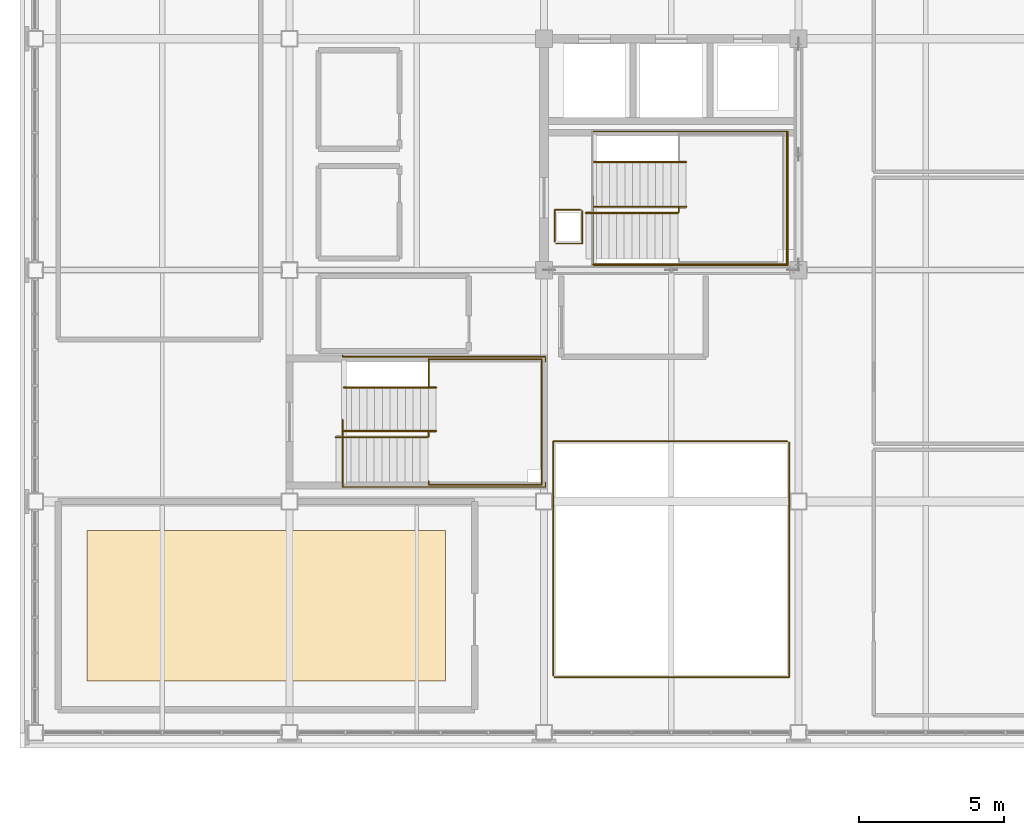
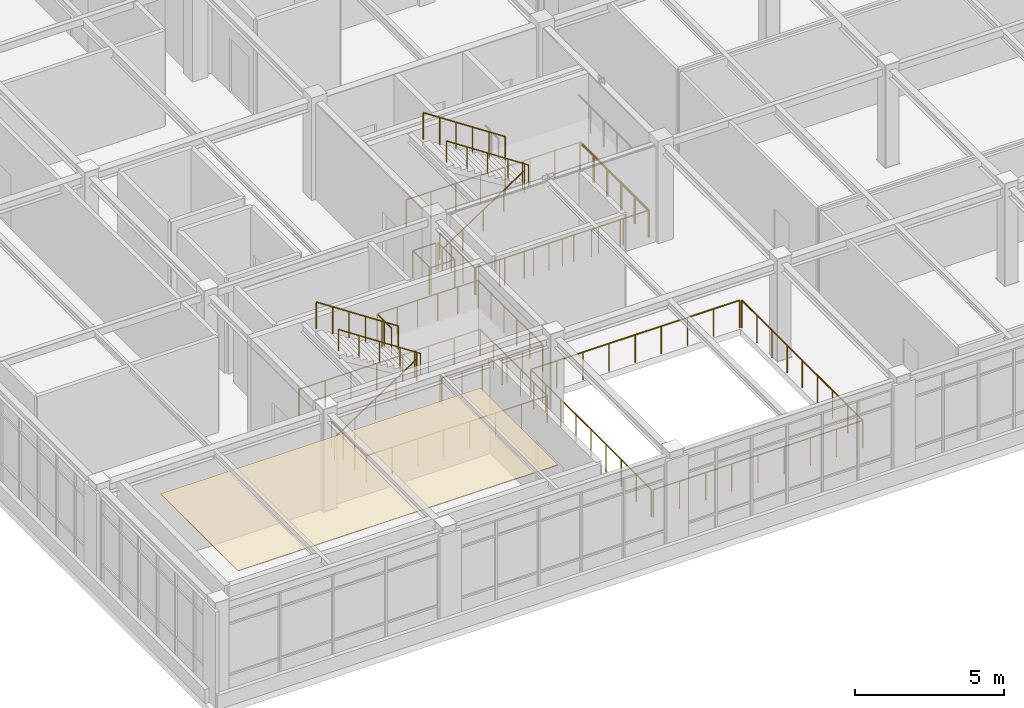
# One storey, part 84 of 88: 16 railings, 1 covering.
"""IFC4 building model written with IfcOpenShell, lengths in metres."""

from ifc_helpers import new_model, si_unit, direction, frame, origin, origin_2d, place, context, subcontext, project, spatial, rectangle, circle, extrude, material, layer, layer_set, type_object, element, save


model = new_model("IFC4")

# Units and contexts
model_context = context("Model", 3, precision=1e-05, world=origin(), true_north=direction((0.0, 1.0)))
body_context = subcontext(model_context, "Body", "Model", "MODEL_VIEW")
ifc_project = project(units=[si_unit("LENGTHUNIT", "METRE"), si_unit("AREAUNIT", "SQUARE_METRE"), si_unit("VOLUMEUNIT", "CUBIC_METRE"), si_unit("PLANEANGLEUNIT", "RADIAN"), si_unit("MASSUNIT", "GRAM", prefix="KILO")], contexts=[model_context])

# Site, building, storey
site_placement = place(None, origin())
site = spatial("IfcSite", under=ifc_project, at=site_placement, CompositionType="ELEMENT")
building_placement = place(site_placement, origin())
building = spatial("IfcBuilding", under=site, at=building_placement, Name="Zhaolan Boulevard Law Courts", CompositionType="ELEMENT")
storey_placement = place(building_placement, frame((0.0, 0.0, 16.199951171875)))
storey = spatial("IfcBuildingStorey", under=building, at=storey_placement, Name="L03", CompositionType="ELEMENT", Elevation=16.199951171875)

# Covering
ifc_material_1 = material(Name="Perforated acoustic gypsum and timber-slat ceiling", Category="wood")
ifc_layer = layer(ifc_material_1, 0.030029296875)
ifc_layer_set = layer_set([ifc_layer])
covering_type = type_object("IfcCoveringType", Name="ACOUSTIC CEILING 30", PredefinedType="CEILING", material=ifc_layer_set)
covering_placement = place(storey_placement, frame((8.0, 34.39990234375, 3.51513671875), z_axis=(0.0, 0.0, 1.0), x_axis=(1.0, 0.0, 0.0)))
element("IfcCovering", 1, at=covering_placement, inside=storey, type_object=covering_type, Name="Acoustic Baffle Ceiling CLG-09", PredefinedType="CEILING", context=body_context, shape_type="SweptSolid", body=[
    extrude(rectangle(XDim=12.39990234375, YDim=5.199951171875, at=origin_2d()), origin(), (0.0, 0.0, 1.0), 0.030029296875),
])

# Railings
ifc_material_2 = material(Name="Powder-coated steel and tempered laminated glass", Category="steel")
railing_type_1 = type_object("IfcRailingType", Name="INTERIOR GUARDRAIL 1150", PredefinedType="GUARDRAIL", material=ifc_material_2)
railing_1_placement = place(storey_placement, frame((19.31005859375, 46.169921875, 0.0)))
element("IfcRailing", 2, at=railing_1_placement, inside=storey, type_object=railing_type_1, Name="Atrium Gallery Guardrail VG-3-V5-6A", PredefinedType="GUARDRAIL", context=body_context, shape_type="SweptSolid", body=[
    extrude(circle(Radius=0.02490234375, at=origin_2d()), frame((0.0, 0.0, 1.125), z_axis=(1.0, 0.0, 0.0), x_axis=(0.0, 1.0, 0.0)), (0.0, 0.0, 1.0), 6.719970703125),
    extrude(circle(Radius=0.02490234375, at=origin_2d()), frame((6.719970703125, 0.0, 1.125), z_axis=(0.0, 1.0, 0.0), x_axis=(-1.0, 0.0, 0.0)), (0.0, 0.0, 1.0), 4.6201171875),
    extrude(circle(Radius=0.02099609375, at=origin_2d()), origin(), (0.0, 0.0, 1.0), 1.099853515625),
    extrude(circle(Radius=0.02099609375, at=origin_2d()), frame((1.1201171875, 0.0, 0.0)), (0.0, 0.0, 1.0), 1.099853515625),
    extrude(circle(Radius=0.02099609375, at=origin_2d()), frame((2.239990234375, 0.0, 0.0)), (0.0, 0.0, 1.0), 1.099853515625),
    extrude(circle(Radius=0.02099609375, at=origin_2d()), frame((3.35986328125, 0.0, 0.0)), (0.0, 0.0, 1.0), 1.099853515625),
    extrude(circle(Radius=0.02099609375, at=origin_2d()), frame((4.47998046875, 0.0, 0.0)), (0.0, 0.0, 1.0), 1.099853515625),
    extrude(circle(Radius=0.02099609375, at=origin_2d()), frame((5.60009765625, 0.0, 0.0)), (0.0, 0.0, 1.0), 1.099853515625),
    extrude(circle(Radius=0.02099609375, at=origin_2d()), frame((6.719970703125, 0.0, 0.0)), (0.0, 0.0, 1.0), 1.099853515625),
    extrude(circle(Radius=0.02099609375, at=origin_2d()), frame((6.719970703125, 0.924072265625, 0.0)), (0.0, 0.0, 1.0), 1.099853515625),
    extrude(circle(Radius=0.02099609375, at=origin_2d()), frame((6.719970703125, 1.84814453125, 0.0)), (0.0, 0.0, 1.0), 1.099853515625),
    extrude(circle(Radius=0.02099609375, at=origin_2d()), frame((6.719970703125, 2.77197265625, 0.0)), (0.0, 0.0, 1.0), 1.099853515625),
    extrude(circle(Radius=0.02099609375, at=origin_2d()), frame((6.719970703125, 3.696044921875, 0.0)), (0.0, 0.0, 1.0), 1.099853515625),
    extrude(circle(Radius=0.02099609375, at=origin_2d()), frame((6.719970703125, 4.6201171875, 0.0)), (0.0, 0.0, 1.0), 1.099853515625),
])
railing_2_placement = place(storey_placement, frame((18.010009765625, 46.919921875, 0.0)))
element("IfcRailing", 3, at=railing_2_placement, inside=storey, type_object=railing_type_1, Name="Atrium Gallery Guardrail VG-3-V5-9A", PredefinedType="GUARDRAIL", context=body_context, shape_type="SweptSolid", body=[
    extrude(circle(Radius=0.02490234375, at=origin_2d()), frame((0.0, 0.0, 1.125), z_axis=(1.0, 0.0, 0.0), x_axis=(0.0, 1.0, 0.0)), (0.0, 0.0, 1.0), 0.919921875),
    extrude(circle(Radius=0.02490234375, at=origin_2d()), frame((0.919921875, 0.0, 1.125), z_axis=(0.0, 1.0, 0.0), x_axis=(-1.0, 0.0, 0.0)), (0.0, 0.0, 1.0), 1.1201171875),
    extrude(circle(Radius=0.02099609375, at=origin_2d()), origin(), (0.0, 0.0, 1.0), 1.099853515625),
    extrude(circle(Radius=0.02099609375, at=origin_2d()), frame((0.919921875, 0.0, 0.0)), (0.0, 0.0, 1.0), 1.099853515625),
    extrude(circle(Radius=0.02099609375, at=origin_2d()), frame((0.919921875, 1.1201171875, 0.0)), (0.0, 0.0, 1.0), 1.099853515625),
])
railing_3_placement = place(storey_placement, frame((18.8701171875, 48.080078125, 0.0)))
element("IfcRailing", 4, at=railing_3_placement, inside=storey, type_object=railing_type_1, Name="Atrium Gallery Guardrail VG-3-V5-9B", PredefinedType="GUARDRAIL", context=body_context, shape_type="SweptSolid", body=[
    extrude(circle(Radius=0.02490234375, at=origin_2d()), frame((0.0, 0.0, 1.125), z_axis=(-1.0, 0.0, 0.0), x_axis=(0.0, -1.0, 0.0)), (0.0, 0.0, 1.0), 0.900146484375),
    extrude(circle(Radius=0.02490234375, at=origin_2d()), frame((-0.900146484375, 0.0, 1.125), z_axis=(0.0, -1.0, 0.0), x_axis=(1.0, 0.0, 0.0)), (0.0, 0.0, 1.0), 1.10009765625),
    extrude(circle(Radius=0.02099609375, at=origin_2d()), origin(), (0.0, 0.0, 1.0), 1.099853515625),
    extrude(circle(Radius=0.02099609375, at=origin_2d()), frame((-0.900146484375, 0.0, 0.0)), (0.0, 0.0, 1.0), 1.099853515625),
    extrude(circle(Radius=0.02099609375, at=origin_2d()), frame((-0.900146484375, -1.10009765625, 0.0)), (0.0, 0.0, 1.0), 1.099853515625),
])
railing_4_placement = place(storey_placement, frame((17.9599609375, 31.919921875, 0.0)))
element("IfcRailing", 5, at=railing_4_placement, inside=storey, type_object=railing_type_1, Name="Atrium Gallery Guardrail VG-3-V5-11A", PredefinedType="GUARDRAIL", context=body_context, shape_type="SweptSolid", body=[
    extrude(circle(Radius=0.02490234375, at=origin_2d()), frame((0.0, 0.0, 1.125), z_axis=(1.0, 0.0, 0.0), x_axis=(0.0, 1.0, 0.0)), (0.0, 0.0, 1.0), 8.1201171875),
    extrude(circle(Radius=0.02490234375, at=origin_2d()), frame((8.1201171875, 0.0, 1.125), z_axis=(0.0, 1.0, 0.0), x_axis=(-1.0, 0.0, 0.0)), (0.0, 0.0, 1.0), 8.1201171875),
    extrude(circle(Radius=0.02099609375, at=origin_2d()), origin(), (0.0, 0.0, 1.0), 1.099853515625),
    extrude(circle(Radius=0.02099609375, at=origin_2d()), frame((1.01513671875, 0.0, 0.0)), (0.0, 0.0, 1.0), 1.099853515625),
    extrude(circle(Radius=0.02099609375, at=origin_2d()), frame((2.030029296875, 0.0, 0.0)), (0.0, 0.0, 1.0), 1.099853515625),
    extrude(circle(Radius=0.02099609375, at=origin_2d()), frame((3.044921875, 0.0, 0.0)), (0.0, 0.0, 1.0), 1.099853515625),
    extrude(circle(Radius=0.02099609375, at=origin_2d()), frame((4.06005859375, 0.0, 0.0)), (0.0, 0.0, 1.0), 1.099853515625),
    extrude(circle(Radius=0.02099609375, at=origin_2d()), frame((5.0751953125, 0.0, 0.0)), (0.0, 0.0, 1.0), 1.099853515625),
    extrude(circle(Radius=0.02099609375, at=origin_2d()), frame((6.090087890625, 0.0, 0.0)), (0.0, 0.0, 1.0), 1.099853515625),
    extrude(circle(Radius=0.02099609375, at=origin_2d()), frame((7.10498046875, 0.0, 0.0)), (0.0, 0.0, 1.0), 1.099853515625),
    extrude(circle(Radius=0.02099609375, at=origin_2d()), frame((8.1201171875, 0.0, 0.0)), (0.0, 0.0, 1.0), 1.099853515625),
    extrude(circle(Radius=0.02099609375, at=origin_2d()), frame((8.1201171875, 1.01513671875, 0.0)), (0.0, 0.0, 1.0), 1.099853515625),
    extrude(circle(Radius=0.02099609375, at=origin_2d()), frame((8.1201171875, 2.030029296875, 0.0)), (0.0, 0.0, 1.0), 1.099853515625),
    extrude(circle(Radius=0.02099609375, at=origin_2d()), frame((8.1201171875, 3.044921875, 0.0)), (0.0, 0.0, 1.0), 1.099853515625),
    extrude(circle(Radius=0.02099609375, at=origin_2d()), frame((8.1201171875, 4.06005859375, 0.0)), (0.0, 0.0, 1.0), 1.099853515625),
    extrude(circle(Radius=0.02099609375, at=origin_2d()), frame((8.1201171875, 5.0751953125, 0.0)), (0.0, 0.0, 1.0), 1.099853515625),
    extrude(circle(Radius=0.02099609375, at=origin_2d()), frame((8.1201171875, 6.090087890625, 0.0)), (0.0, 0.0, 1.0), 1.099853515625),
    extrude(circle(Radius=0.02099609375, at=origin_2d()), frame((8.1201171875, 7.10498046875, 0.0)), (0.0, 0.0, 1.0), 1.099853515625),
    extrude(circle(Radius=0.02099609375, at=origin_2d()), frame((8.1201171875, 8.1201171875, 0.0)), (0.0, 0.0, 1.0), 1.099853515625),
])
railing_5_placement = place(storey_placement, frame((26.02001953125, 40.080078125, 0.0)))
element("IfcRailing", 6, at=railing_5_placement, inside=storey, type_object=railing_type_1, Name="Atrium Gallery Guardrail VG-3-V5-11B", PredefinedType="GUARDRAIL", context=body_context, shape_type="SweptSolid", body=[
    extrude(circle(Radius=0.02490234375, at=origin_2d()), frame((0.0, 0.0, 1.125), z_axis=(-1.0, 0.0, 0.0), x_axis=(0.0, -1.0, 0.0)), (0.0, 0.0, 1.0), 8.10009765625),
    extrude(circle(Radius=0.02490234375, at=origin_2d()), frame((-8.10009765625, 0.0, 1.125), z_axis=(0.0, -1.0, 0.0), x_axis=(1.0, 0.0, 0.0)), (0.0, 0.0, 1.0), 8.10009765625),
    extrude(circle(Radius=0.02099609375, at=origin_2d()), origin(), (0.0, 0.0, 1.0), 1.099853515625),
    extrude(circle(Radius=0.02099609375, at=origin_2d()), frame((-1.012451171875, 0.0, 0.0)), (0.0, 0.0, 1.0), 1.099853515625),
    extrude(circle(Radius=0.02099609375, at=origin_2d()), frame((-2.02490234375, 0.0, 0.0)), (0.0, 0.0, 1.0), 1.099853515625),
    extrude(circle(Radius=0.02099609375, at=origin_2d()), frame((-3.03759765625, 0.0, 0.0)), (0.0, 0.0, 1.0), 1.099853515625),
    extrude(circle(Radius=0.02099609375, at=origin_2d()), frame((-4.050048828125, 0.0, 0.0)), (0.0, 0.0, 1.0), 1.099853515625),
    extrude(circle(Radius=0.02099609375, at=origin_2d()), frame((-5.0625, 0.0, 0.0)), (0.0, 0.0, 1.0), 1.099853515625),
    extrude(circle(Radius=0.02099609375, at=origin_2d()), frame((-6.0751953125, 0.0, 0.0)), (0.0, 0.0, 1.0), 1.099853515625),
    extrude(circle(Radius=0.02099609375, at=origin_2d()), frame((-7.087646484375, 0.0, 0.0)), (0.0, 0.0, 1.0), 1.099853515625),
    extrude(circle(Radius=0.02099609375, at=origin_2d()), frame((-8.10009765625, 0.0, 0.0)), (0.0, 0.0, 1.0), 1.099853515625),
    extrude(circle(Radius=0.02099609375, at=origin_2d()), frame((-8.10009765625, -1.012451171875, 0.0)), (0.0, 0.0, 1.0), 1.099853515625),
    extrude(circle(Radius=0.02099609375, at=origin_2d()), frame((-8.10009765625, -2.02490234375, 0.0)), (0.0, 0.0, 1.0), 1.099853515625),
    extrude(circle(Radius=0.02099609375, at=origin_2d()), frame((-8.10009765625, -3.03759765625, 0.0)), (0.0, 0.0, 1.0), 1.099853515625),
    extrude(circle(Radius=0.02099609375, at=origin_2d()), frame((-8.10009765625, -4.050048828125, 0.0)), (0.0, 0.0, 1.0), 1.099853515625),
    extrude(circle(Radius=0.02099609375, at=origin_2d()), frame((-8.10009765625, -5.0625, 0.0)), (0.0, 0.0, 1.0), 1.099853515625),
    extrude(circle(Radius=0.02099609375, at=origin_2d()), frame((-8.10009765625, -6.0751953125, 0.0)), (0.0, 0.0, 1.0), 1.099853515625),
    extrude(circle(Radius=0.02099609375, at=origin_2d()), frame((-8.10009765625, -7.087646484375, 0.0)), (0.0, 0.0, 1.0), 1.099853515625),
    extrude(circle(Radius=0.02099609375, at=origin_2d()), frame((-8.10009765625, -8.10009765625, 0.0)), (0.0, 0.0, 1.0), 1.099853515625),
])
ifc_material_3 = material(Name="Brushed stainless steel tubular handrail", Category="steel")
railing_type_2 = type_object("IfcRailingType", Name="STAIR HANDRAIL 900", PredefinedType="HANDRAIL", material=ifc_material_3)
railing_6_placement = place(storey_placement, frame((19.050048828125, 47.969970703125, 0.0)))
element("IfcRailing", 7, at=railing_6_placement, inside=storey, type_object=railing_type_2, Name="Stair Handrail HR-ST01-L03-1", PredefinedType="HANDRAIL", context=body_context, shape_type="SweptSolid", body=[
    extrude(circle(Radius=0.0224609375, at=origin_2d()), frame((0.0, 0.0, 0.87744140625), z_axis=(0.834447378162, 0.0, 0.551087627405), x_axis=(0.0, 1.0, 0.0)), (0.0, 0.0, 1.0), 3.810791015625),
    extrude(circle(Radius=0.01904296875, at=origin_2d()), origin(), (0.0, 0.0, 1.0), 0.85498046875),
    extrude(circle(Radius=0.01904296875, at=origin_2d()), frame((0.794921875, 0.0, 0.52490234375)), (0.0, 0.0, 1.0), 0.85498046875),
    extrude(circle(Radius=0.01904296875, at=origin_2d()), frame((1.58984375, 0.0, 1.050048828125)), (0.0, 0.0, 1.0), 0.85498046875),
    extrude(circle(Radius=0.01904296875, at=origin_2d()), frame((2.385009765625, 0.0, 1.5751953125)), (0.0, 0.0, 1.0), 0.85498046875),
    extrude(circle(Radius=0.01904296875, at=origin_2d()), frame((3.179931640625, 0.0, 2.10009765625)), (0.0, 0.0, 1.0), 0.85498046875),
])
railing_7_placement = place(storey_placement, frame((22.514892578125, 48.18994140625, 2.10009765625)))
element("IfcRailing", 8, at=railing_7_placement, inside=storey, type_object=railing_type_2, Name="Stair Handrail HR-ST01-L03-2", PredefinedType="HANDRAIL", context=body_context, shape_type="SweptSolid", body=[
    extrude(circle(Radius=0.0224609375, at=origin_2d()), frame((0.0, 0.0, 0.87744140625), z_axis=(-0.834476838559, 0.0, 0.551043016387), x_axis=(0.0, -1.0, 0.0)), (0.0, 0.0, 1.0), 3.810791015625),
    extrude(circle(Radius=0.01904296875, at=origin_2d()), origin(), (0.0, 0.0, 1.0), 0.85498046875),
    extrude(circle(Radius=0.01904296875, at=origin_2d()), frame((-0.794921875, 0.0, 0.52490234375)), (0.0, 0.0, 1.0), 0.85498046875),
    extrude(circle(Radius=0.01904296875, at=origin_2d()), frame((-1.58984375, 0.0, 1.0498046875)), (0.0, 0.0, 1.0), 0.85498046875),
    extrude(circle(Radius=0.01904296875, at=origin_2d()), frame((-2.385009765625, 0.0, 1.574951171875)), (0.0, 0.0, 1.0), 0.85498046875),
    extrude(circle(Radius=0.01904296875, at=origin_2d()), frame((-3.179931640625, 0.0, 2.099853515625)), (0.0, 0.0, 1.0), 0.85498046875),
])
railing_8_placement = place(storey_placement, frame((10.39990234375, 40.219970703125, 0.0)))
element("IfcRailing", 9, at=railing_8_placement, inside=storey, type_object=railing_type_2, Name="Stair Handrail HR-ST03-L03-1", PredefinedType="HANDRAIL", context=body_context, shape_type="SweptSolid", body=[
    extrude(circle(Radius=0.0224609375, at=origin_2d()), frame((0.0, 0.0, 0.87744140625), z_axis=(0.834466833004, 0.0, 0.551058168087), x_axis=(0.0, 1.0, 0.0)), (0.0, 0.0, 1.0), 3.81103515625),
    extrude(circle(Radius=0.01904296875, at=origin_2d()), origin(), (0.0, 0.0, 1.0), 0.85498046875),
    extrude(circle(Radius=0.01904296875, at=origin_2d()), frame((0.794921875, 0.0, 0.52490234375)), (0.0, 0.0, 1.0), 0.85498046875),
    extrude(circle(Radius=0.01904296875, at=origin_2d()), frame((1.590087890625, 0.0, 1.050048828125)), (0.0, 0.0, 1.0), 0.85498046875),
    extrude(circle(Radius=0.01904296875, at=origin_2d()), frame((2.38525390625, 0.0, 1.5751953125)), (0.0, 0.0, 1.0), 0.85498046875),
    extrude(circle(Radius=0.01904296875, at=origin_2d()), frame((3.18017578125, 0.0, 2.10009765625)), (0.0, 0.0, 1.0), 0.85498046875),
])
railing_9_placement = place(storey_placement, frame((13.864990234375, 40.43994140625, 2.10009765625)))
element("IfcRailing", 10, at=railing_9_placement, inside=storey, type_object=railing_type_2, Name="Stair Handrail HR-ST03-L03-2", PredefinedType="HANDRAIL", context=body_context, shape_type="SweptSolid", body=[
    extrude(circle(Radius=0.0224609375, at=origin_2d()), frame((0.0, 0.0, 0.87744140625), z_axis=(-0.834476838559, 0.0, 0.551043016387), x_axis=(0.0, -1.0, 0.0)), (0.0, 0.0, 1.0), 3.810791015625),
    extrude(circle(Radius=0.01904296875, at=origin_2d()), origin(), (0.0, 0.0, 1.0), 0.85498046875),
    extrude(circle(Radius=0.01904296875, at=origin_2d()), frame((-0.794921875, 0.0, 0.52490234375)), (0.0, 0.0, 1.0), 0.85498046875),
    extrude(circle(Radius=0.01904296875, at=origin_2d()), frame((-1.58984375, 0.0, 1.0498046875)), (0.0, 0.0, 1.0), 0.85498046875),
    extrude(circle(Radius=0.01904296875, at=origin_2d()), frame((-2.385009765625, 0.0, 1.574951171875)), (0.0, 0.0, 1.0), 0.85498046875),
    extrude(circle(Radius=0.01904296875, at=origin_2d()), frame((-3.179931640625, 0.0, 2.099853515625)), (0.0, 0.0, 1.0), 0.85498046875),
])
ifc_material_4 = material(Name="Powder-coated steel baluster guardrail", Category="steel")
railing_type_3 = type_object("IfcRailingType", Name="STAIR WELL GUARDRAIL 1120", PredefinedType="GUARDRAIL", material=ifc_material_4)
railing_10_placement = place(storey_placement, frame((19.2900390625, 48.56005859375, 0.0)))
element("IfcRailing", 11, at=railing_10_placement, inside=storey, type_object=railing_type_3, Name="Stair-Well Floor Guardrail WG-ST01-L02", PredefinedType="GUARDRAIL", context=body_context, shape_type="SweptSolid", body=[
    extrude(circle(Radius=0.02392578125, at=origin_2d()), frame((0.0, 0.0, 1.09619140625), z_axis=(0.0, -1.0, 0.0), x_axis=(1.0, 0.0, 0.0)), (0.0, 0.0, 1.0), 2.360107421875),
    extrude(circle(Radius=0.02392578125, at=origin_2d()), frame((0.0, -2.360107421875, 1.09619140625), z_axis=(1.0, 0.0, 0.0), x_axis=(0.0, 1.0, 0.0)), (0.0, 0.0, 1.0), 6.7099609375),
    extrude(circle(Radius=0.02392578125, at=origin_2d()), frame((6.7099609375, -2.360107421875, 1.09619140625), z_axis=(0.0, 1.0, 0.0), x_axis=(-1.0, 0.0, 0.0)), (0.0, 0.0, 1.0), 4.60009765625),
    extrude(circle(Radius=0.02392578125, at=origin_2d()), frame((6.7099609375, 2.239990234375, 1.09619140625), z_axis=(-1.0, 0.0, 0.0), x_axis=(0.0, -1.0, 0.0)), (0.0, 0.0, 1.0), 6.7099609375),
    extrude(circle(Radius=0.02392578125, at=origin_2d()), frame((0.0, 2.239990234375, 1.09619140625), z_axis=(0.0, 1.0, 0.0), x_axis=(-1.0, 0.0, 0.0)), (0.0, 0.0, 1.0), 0.02001953125),
    extrude(circle(Radius=0.02099609375, at=origin_2d()), origin(), (0.0, 0.0, 1.0), 1.072021484375),
    extrude(circle(Radius=0.02099609375, at=origin_2d()), frame((0.0, -0.78662109375, 0.0)), (0.0, 0.0, 1.0), 1.072021484375),
    extrude(circle(Radius=0.02099609375, at=origin_2d()), frame((0.0, -1.573486328125, 0.0)), (0.0, 0.0, 1.0), 1.072021484375),
    extrude(circle(Radius=0.02099609375, at=origin_2d()), frame((0.0, -2.360107421875, 0.0)), (0.0, 0.0, 1.0), 1.072021484375),
    extrude(circle(Radius=0.02099609375, at=origin_2d()), frame((0.95849609375, -2.360107421875, 0.0)), (0.0, 0.0, 1.0), 1.072021484375),
    extrude(circle(Radius=0.02099609375, at=origin_2d()), frame((1.917236328125, -2.360107421875, 0.0)), (0.0, 0.0, 1.0), 1.072021484375),
    extrude(circle(Radius=0.02099609375, at=origin_2d()), frame((2.875732421875, -2.360107421875, 0.0)), (0.0, 0.0, 1.0), 1.072021484375),
    extrude(circle(Radius=0.02099609375, at=origin_2d()), frame((3.834228515625, -2.360107421875, 0.0)), (0.0, 0.0, 1.0), 1.072021484375),
    extrude(circle(Radius=0.02099609375, at=origin_2d()), frame((4.792724609375, -2.360107421875, 0.0)), (0.0, 0.0, 1.0), 1.072021484375),
    extrude(circle(Radius=0.02099609375, at=origin_2d()), frame((5.75146484375, -2.360107421875, 0.0)), (0.0, 0.0, 1.0), 1.072021484375),
    extrude(circle(Radius=0.02099609375, at=origin_2d()), frame((6.7099609375, -2.360107421875, 0.0)), (0.0, 0.0, 1.0), 1.072021484375),
    extrude(circle(Radius=0.02099609375, at=origin_2d()), frame((6.7099609375, -1.440185546875, 0.0)), (0.0, 0.0, 1.0), 1.072021484375),
    extrude(circle(Radius=0.02099609375, at=origin_2d()), frame((6.7099609375, -0.52001953125, 0.0)), (0.0, 0.0, 1.0), 1.072021484375),
    extrude(circle(Radius=0.02099609375, at=origin_2d()), frame((6.7099609375, 0.39990234375, 0.0)), (0.0, 0.0, 1.0), 1.072021484375),
    extrude(circle(Radius=0.02099609375, at=origin_2d()), frame((6.7099609375, 1.320068359375, 0.0)), (0.0, 0.0, 1.0), 1.072021484375),
    extrude(circle(Radius=0.02099609375, at=origin_2d()), frame((6.7099609375, 2.239990234375, 0.0)), (0.0, 0.0, 1.0), 1.072021484375),
    extrude(circle(Radius=0.02099609375, at=origin_2d()), frame((5.75146484375, 2.239990234375, 0.0)), (0.0, 0.0, 1.0), 1.072021484375),
    extrude(circle(Radius=0.02099609375, at=origin_2d()), frame((4.792724609375, 2.239990234375, 0.0)), (0.0, 0.0, 1.0), 1.072021484375),
    extrude(circle(Radius=0.02099609375, at=origin_2d()), frame((3.834228515625, 2.239990234375, 0.0)), (0.0, 0.0, 1.0), 1.072021484375),
    extrude(circle(Radius=0.02099609375, at=origin_2d()), frame((2.875732421875, 2.239990234375, 0.0)), (0.0, 0.0, 1.0), 1.072021484375),
    extrude(circle(Radius=0.02099609375, at=origin_2d()), frame((1.917236328125, 2.239990234375, 0.0)), (0.0, 0.0, 1.0), 1.072021484375),
    extrude(circle(Radius=0.02099609375, at=origin_2d()), frame((0.95849609375, 2.239990234375, 0.0)), (0.0, 0.0, 1.0), 1.072021484375),
    extrude(circle(Radius=0.02099609375, at=origin_2d()), frame((0.0, 2.239990234375, 0.0)), (0.0, 0.0, 1.0), 1.072021484375),
    extrude(circle(Radius=0.02099609375, at=origin_2d()), frame((0.0, 2.260009765625, 0.0)), (0.0, 0.0, 1.0), 1.072021484375),
])
railing_11_placement = place(storey_placement, frame((22.260009765625, 48.010009765625, 2.10009765625)))
element("IfcRailing", 12, at=railing_11_placement, inside=storey, type_object=railing_type_3, Name="Half-Landing Well Guardrail SG-ST01-L03-W", PredefinedType="GUARDRAIL", context=body_context, shape_type="SweptSolid", body=[
    extrude(circle(Radius=0.02392578125, at=origin_2d()), frame((0.0, 0.0, 1.09619140625), z_axis=(0.0, 1.0, 0.0), x_axis=(-1.0, 0.0, 0.0)), (0.0, 0.0, 1.0), 0.139892578125),
    extrude(circle(Radius=0.02099609375, at=origin_2d()), origin(), (0.0, 0.0, 1.0), 1.072021484375),
    extrude(circle(Radius=0.02099609375, at=origin_2d()), frame((0.0, 0.139892578125, 0.0)), (0.0, 0.0, 1.0), 1.072021484375),
])
railing_12_placement = place(storey_placement, frame((22.514892578125, 49.739990234375, 2.10009765625)))
element("IfcRailing", 13, at=railing_12_placement, inside=storey, type_object=railing_type_3, Name="Flight Guardrail SG-ST01-L03-F2", PredefinedType="GUARDRAIL", context=body_context, shape_type="SweptSolid", body=[
    extrude(circle(Radius=0.02392578125, at=origin_2d()), frame((0.0, 0.0, 1.09619140625), z_axis=(-0.834476838559, 0.0, 0.551043016387), x_axis=(0.0, -1.0, 0.0)), (0.0, 0.0, 1.0), 3.810791015625),
    extrude(circle(Radius=0.02099609375, at=origin_2d()), origin(), (0.0, 0.0, 1.0), 1.072021484375),
    extrude(circle(Radius=0.02099609375, at=origin_2d()), frame((-0.635986328125, 0.0, 0.419921875)), (0.0, 0.0, 1.0), 1.072021484375),
    extrude(circle(Radius=0.02099609375, at=origin_2d()), frame((-1.27197265625, 0.0, 0.83984375)), (0.0, 0.0, 1.0), 1.072021484375),
    extrude(circle(Radius=0.02099609375, at=origin_2d()), frame((-1.907958984375, 0.0, 1.260009765625)), (0.0, 0.0, 1.0), 1.072021484375),
    extrude(circle(Radius=0.02099609375, at=origin_2d()), frame((-2.5439453125, 0.0, 1.679931640625)), (0.0, 0.0, 1.0), 1.072021484375),
    extrude(circle(Radius=0.02099609375, at=origin_2d()), frame((-3.179931640625, 0.0, 2.099853515625)), (0.0, 0.0, 1.0), 1.072021484375),
])
railing_13_placement = place(storey_placement, frame((10.639892578125, 40.830078125, 0.0)))
element("IfcRailing", 14, at=railing_13_placement, inside=storey, type_object=railing_type_3, Name="Stair-Well Floor Guardrail WG-ST03-L02", PredefinedType="GUARDRAIL", context=body_context, shape_type="SweptSolid", body=[
    extrude(circle(Radius=0.02392578125, at=origin_2d()), frame((0.0, 0.0, 1.09619140625), z_axis=(0.0, -1.0, 0.0), x_axis=(1.0, 0.0, 0.0)), (0.0, 0.0, 1.0), 2.330078125),
    extrude(circle(Radius=0.02392578125, at=origin_2d()), frame((0.0, -2.330078125, 1.09619140625), z_axis=(1.0, 0.0, 0.0), x_axis=(0.0, 1.0, 0.0)), (0.0, 0.0, 1.0), 7.010009765625),
    extrude(circle(Radius=0.02392578125, at=origin_2d()), frame((7.010009765625, -2.330078125, 1.09619140625), z_axis=(0.0, 1.0, 0.0), x_axis=(-1.0, 0.0, 0.0)), (0.0, 0.0, 1.0), 4.5),
    extrude(circle(Radius=0.02392578125, at=origin_2d()), frame((7.010009765625, 2.169921875, 1.09619140625), z_axis=(-1.0, 0.0, 0.0), x_axis=(0.0, -1.0, 0.0)), (0.0, 0.0, 1.0), 7.010009765625),
    extrude(circle(Radius=0.02392578125, at=origin_2d()), frame((0.0, 2.169921875, 1.09619140625), z_axis=(0.0, 1.0, 0.0), x_axis=(-1.0, 0.0, 0.0)), (0.0, 0.0, 1.0), 0.06005859375),
    extrude(circle(Radius=0.02099609375, at=origin_2d()), origin(), (0.0, 0.0, 1.0), 1.072021484375),
    extrude(circle(Radius=0.02099609375, at=origin_2d()), frame((0.0, -0.776611328125, 0.0)), (0.0, 0.0, 1.0), 1.072021484375),
    extrude(circle(Radius=0.02099609375, at=origin_2d()), frame((0.0, -1.553466796875, 0.0)), (0.0, 0.0, 1.0), 1.072021484375),
    extrude(circle(Radius=0.02099609375, at=origin_2d()), frame((0.0, -2.330078125, 0.0)), (0.0, 0.0, 1.0), 1.072021484375),
    extrude(circle(Radius=0.02099609375, at=origin_2d()), frame((1.00146484375, -2.330078125, 0.0)), (0.0, 0.0, 1.0), 1.072021484375),
    extrude(circle(Radius=0.02099609375, at=origin_2d()), frame((2.0029296875, -2.330078125, 0.0)), (0.0, 0.0, 1.0), 1.072021484375),
    extrude(circle(Radius=0.02099609375, at=origin_2d()), frame((3.00439453125, -2.330078125, 0.0)), (0.0, 0.0, 1.0), 1.072021484375),
    extrude(circle(Radius=0.02099609375, at=origin_2d()), frame((4.005615234375, -2.330078125, 0.0)), (0.0, 0.0, 1.0), 1.072021484375),
    extrude(circle(Radius=0.02099609375, at=origin_2d()), frame((5.007080078125, -2.330078125, 0.0)), (0.0, 0.0, 1.0), 1.072021484375),
    extrude(circle(Radius=0.02099609375, at=origin_2d()), frame((6.008544921875, -2.330078125, 0.0)), (0.0, 0.0, 1.0), 1.072021484375),
    extrude(circle(Radius=0.02099609375, at=origin_2d()), frame((7.010009765625, -2.330078125, 0.0)), (0.0, 0.0, 1.0), 1.072021484375),
    extrude(circle(Radius=0.02099609375, at=origin_2d()), frame((7.010009765625, -1.43017578125, 0.0)), (0.0, 0.0, 1.0), 1.072021484375),
    extrude(circle(Radius=0.02099609375, at=origin_2d()), frame((7.010009765625, -0.530029296875, 0.0)), (0.0, 0.0, 1.0), 1.072021484375),
    extrude(circle(Radius=0.02099609375, at=origin_2d()), frame((7.010009765625, 0.369873046875, 0.0)), (0.0, 0.0, 1.0), 1.072021484375),
    extrude(circle(Radius=0.02099609375, at=origin_2d()), frame((7.010009765625, 1.27001953125, 0.0)), (0.0, 0.0, 1.0), 1.072021484375),
    extrude(circle(Radius=0.02099609375, at=origin_2d()), frame((7.010009765625, 2.169921875, 0.0)), (0.0, 0.0, 1.0), 1.072021484375),
    extrude(circle(Radius=0.02099609375, at=origin_2d()), frame((6.008544921875, 2.169921875, 0.0)), (0.0, 0.0, 1.0), 1.072021484375),
    extrude(circle(Radius=0.02099609375, at=origin_2d()), frame((5.007080078125, 2.169921875, 0.0)), (0.0, 0.0, 1.0), 1.072021484375),
    extrude(circle(Radius=0.02099609375, at=origin_2d()), frame((4.005615234375, 2.169921875, 0.0)), (0.0, 0.0, 1.0), 1.072021484375),
    extrude(circle(Radius=0.02099609375, at=origin_2d()), frame((3.00439453125, 2.169921875, 0.0)), (0.0, 0.0, 1.0), 1.072021484375),
    extrude(circle(Radius=0.02099609375, at=origin_2d()), frame((2.0029296875, 2.169921875, 0.0)), (0.0, 0.0, 1.0), 1.072021484375),
    extrude(circle(Radius=0.02099609375, at=origin_2d()), frame((1.00146484375, 2.169921875, 0.0)), (0.0, 0.0, 1.0), 1.072021484375),
    extrude(circle(Radius=0.02099609375, at=origin_2d()), frame((0.0, 2.169921875, 0.0)), (0.0, 0.0, 1.0), 1.072021484375),
    extrude(circle(Radius=0.02099609375, at=origin_2d()), frame((0.0, 2.22998046875, 0.0)), (0.0, 0.0, 1.0), 1.072021484375),
])
railing_14_placement = place(storey_placement, frame((13.610107421875, 38.699951171875, 2.10009765625)))
element("IfcRailing", 15, at=railing_14_placement, inside=storey, type_object=railing_type_3, Name="Half-Landing Guardrail SG-ST03-L03-M", PredefinedType="GUARDRAIL", context=body_context, shape_type="SweptSolid", body=[
    extrude(circle(Radius=0.02392578125, at=origin_2d()), frame((0.0, 0.0, 1.09619140625), z_axis=(0.0, -1.0, 0.0), x_axis=(1.0, 0.0, 0.0)), (0.0, 0.0, 1.0), 0.119873046875),
    extrude(circle(Radius=0.02392578125, at=origin_2d()), frame((0.0, -0.119873046875, 1.09619140625), z_axis=(1.0, 0.0, 0.0), x_axis=(0.0, 1.0, 0.0)), (0.0, 0.0, 1.0), 3.909912109375),
    extrude(circle(Radius=0.02392578125, at=origin_2d()), frame((3.909912109375, -0.119873046875, 1.09619140625), z_axis=(0.0, 1.0, 0.0), x_axis=(-1.0, 0.0, 0.0)), (0.0, 0.0, 1.0), 4.33984375),
    extrude(circle(Radius=0.02392578125, at=origin_2d()), frame((3.909912109375, 4.219970703125, 1.09619140625), z_axis=(-1.0, 0.0, 0.0), x_axis=(0.0, -1.0, 0.0)), (0.0, 0.0, 1.0), 3.909912109375),
    extrude(circle(Radius=0.02392578125, at=origin_2d()), frame((0.0, 4.219970703125, 1.09619140625), z_axis=(0.0, -1.0, 0.0), x_axis=(1.0, 0.0, 0.0)), (0.0, 0.0, 1.0), 0.9599609375),
    extrude(circle(Radius=0.02099609375, at=origin_2d()), origin(), (0.0, 0.0, 1.0), 1.072021484375),
    extrude(circle(Radius=0.02099609375, at=origin_2d()), frame((0.0, -0.119873046875, 0.0)), (0.0, 0.0, 1.0), 1.072021484375),
    extrude(circle(Radius=0.02099609375, at=origin_2d()), frame((0.781982421875, -0.119873046875, 0.0)), (0.0, 0.0, 1.0), 1.072021484375),
    extrude(circle(Radius=0.02099609375, at=origin_2d()), frame((1.56396484375, -0.119873046875, 0.0)), (0.0, 0.0, 1.0), 1.072021484375),
    extrude(circle(Radius=0.02099609375, at=origin_2d()), frame((2.345947265625, -0.119873046875, 0.0)), (0.0, 0.0, 1.0), 1.072021484375),
    extrude(circle(Radius=0.02099609375, at=origin_2d()), frame((3.1279296875, -0.119873046875, 0.0)), (0.0, 0.0, 1.0), 1.072021484375),
    extrude(circle(Radius=0.02099609375, at=origin_2d()), frame((3.909912109375, -0.119873046875, 0.0)), (0.0, 0.0, 1.0), 1.072021484375),
    extrude(circle(Radius=0.02099609375, at=origin_2d()), frame((3.909912109375, 0.748046875, 0.0)), (0.0, 0.0, 1.0), 1.072021484375),
    extrude(circle(Radius=0.02099609375, at=origin_2d()), frame((3.909912109375, 1.615966796875, 0.0)), (0.0, 0.0, 1.0), 1.072021484375),
    extrude(circle(Radius=0.02099609375, at=origin_2d()), frame((3.909912109375, 2.484130859375, 0.0)), (0.0, 0.0, 1.0), 1.072021484375),
    extrude(circle(Radius=0.02099609375, at=origin_2d()), frame((3.909912109375, 3.35205078125, 0.0)), (0.0, 0.0, 1.0), 1.072021484375),
    extrude(circle(Radius=0.02099609375, at=origin_2d()), frame((3.909912109375, 4.219970703125, 0.0)), (0.0, 0.0, 1.0), 1.072021484375),
    extrude(circle(Radius=0.02099609375, at=origin_2d()), frame((3.1279296875, 4.219970703125, 0.0)), (0.0, 0.0, 1.0), 1.072021484375),
    extrude(circle(Radius=0.02099609375, at=origin_2d()), frame((2.345947265625, 4.219970703125, 0.0)), (0.0, 0.0, 1.0), 1.072021484375),
    extrude(circle(Radius=0.02099609375, at=origin_2d()), frame((1.56396484375, 4.219970703125, 0.0)), (0.0, 0.0, 1.0), 1.072021484375),
    extrude(circle(Radius=0.02099609375, at=origin_2d()), frame((0.781982421875, 4.219970703125, 0.0)), (0.0, 0.0, 1.0), 1.072021484375),
    extrude(circle(Radius=0.02099609375, at=origin_2d()), frame((0.0, 4.219970703125, 0.0)), (0.0, 0.0, 1.0), 1.072021484375),
    extrude(circle(Radius=0.02099609375, at=origin_2d()), frame((0.0, 3.739990234375, 0.0)), (0.0, 0.0, 1.0), 1.072021484375),
    extrude(circle(Radius=0.02099609375, at=origin_2d()), frame((0.0, 3.260009765625, 0.0)), (0.0, 0.0, 1.0), 1.072021484375),
])
railing_15_placement = place(storey_placement, frame((13.610107421875, 40.260009765625, 2.10009765625)))
element("IfcRailing", 16, at=railing_15_placement, inside=storey, type_object=railing_type_3, Name="Half-Landing Well Guardrail SG-ST03-L03-W", PredefinedType="GUARDRAIL", context=body_context, shape_type="SweptSolid", body=[
    extrude(circle(Radius=0.02392578125, at=origin_2d()), frame((0.0, 0.0, 1.09619140625), z_axis=(0.0, 1.0, 0.0), x_axis=(-1.0, 0.0, 0.0)), (0.0, 0.0, 1.0), 0.139892578125),
    extrude(circle(Radius=0.02099609375, at=origin_2d()), origin(), (0.0, 0.0, 1.0), 1.072021484375),
    extrude(circle(Radius=0.02099609375, at=origin_2d()), frame((0.0, 0.139892578125, 0.0)), (0.0, 0.0, 1.0), 1.072021484375),
])
railing_16_placement = place(storey_placement, frame((13.864990234375, 41.93994140625, 2.10009765625)))
element("IfcRailing", 17, at=railing_16_placement, inside=storey, type_object=railing_type_3, Name="Flight Guardrail SG-ST03-L03-F2", PredefinedType="GUARDRAIL", context=body_context, shape_type="SweptSolid", body=[
    extrude(circle(Radius=0.02392578125, at=origin_2d()), frame((0.0, 0.0, 1.09619140625), z_axis=(-0.834476838559, 0.0, 0.551043016387), x_axis=(0.0, -1.0, 0.0)), (0.0, 0.0, 1.0), 3.810791015625),
    extrude(circle(Radius=0.02099609375, at=origin_2d()), origin(), (0.0, 0.0, 1.0), 1.072021484375),
    extrude(circle(Radius=0.02099609375, at=origin_2d()), frame((-0.635986328125, 0.0, 0.419921875)), (0.0, 0.0, 1.0), 1.072021484375),
    extrude(circle(Radius=0.02099609375, at=origin_2d()), frame((-1.27197265625, 0.0, 0.83984375)), (0.0, 0.0, 1.0), 1.072021484375),
    extrude(circle(Radius=0.02099609375, at=origin_2d()), frame((-1.907958984375, 0.0, 1.260009765625)), (0.0, 0.0, 1.0), 1.072021484375),
    extrude(circle(Radius=0.02099609375, at=origin_2d()), frame((-2.5439453125, 0.0, 1.679931640625)), (0.0, 0.0, 1.0), 1.072021484375),
    extrude(circle(Radius=0.02099609375, at=origin_2d()), frame((-3.179931640625, 0.0, 2.099853515625)), (0.0, 0.0, 1.0), 1.072021484375),
])

save(model, "model.ifc")
